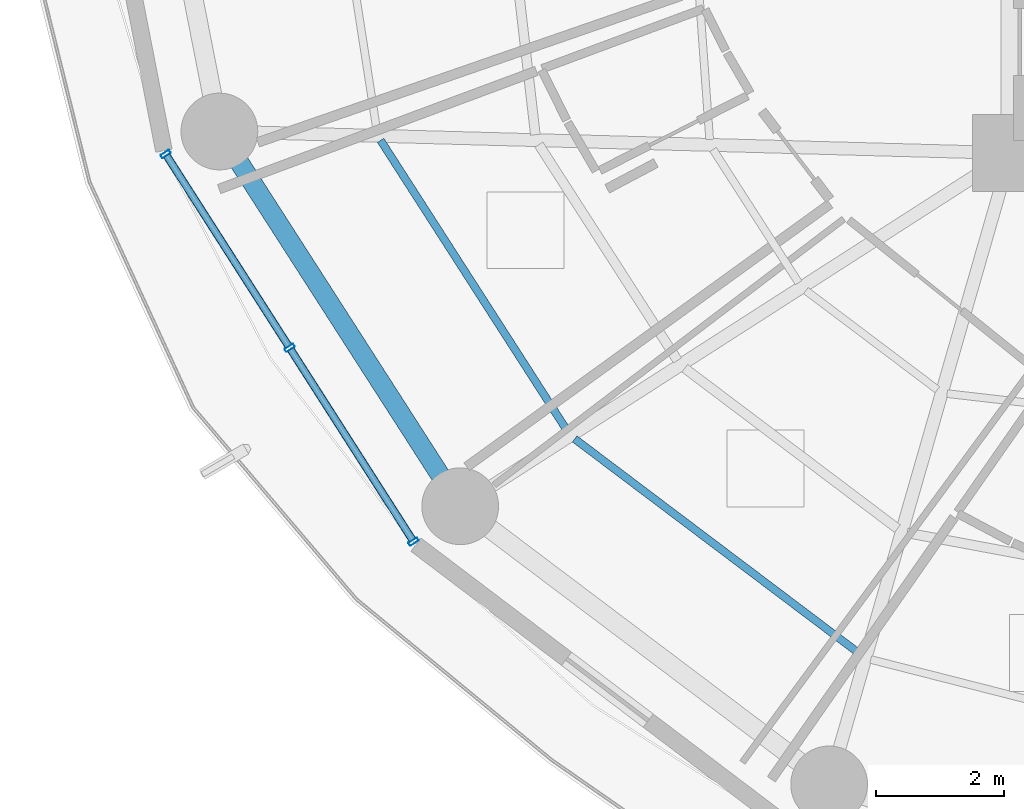
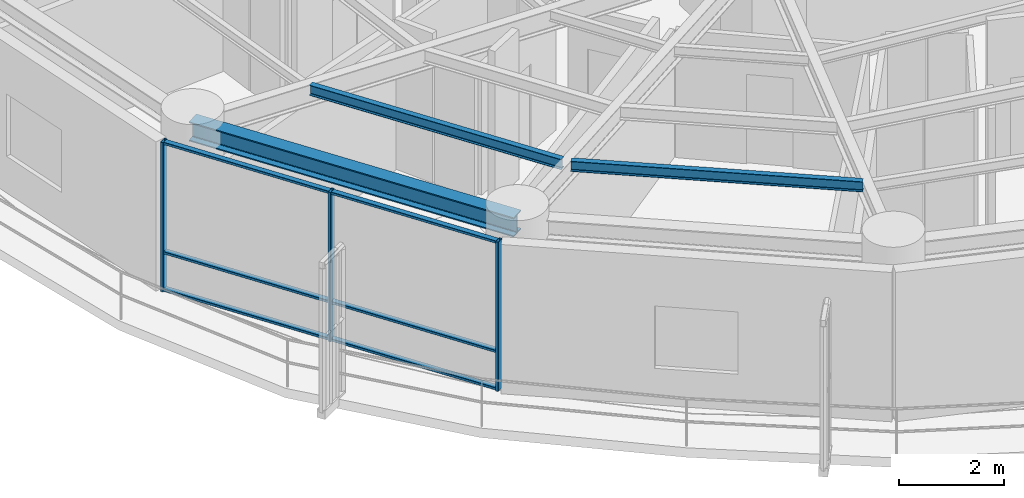
# One storey, part 2 of 28: 9 members, 3 beams, 1 element without a shape of its own.
"""IFC4 building model written with IfcOpenShell, lengths in metres."""

from ifc_helpers import new_model, si_unit, direction, frame, origin, origin_2d, place, context, subcontext, project, spatial, hollow_rectangle, i_section, extrude, material, layer, layer_set, material_profile, profile_set, type_object, element, aggregate, save


model = new_model("IFC4")

# Units and contexts
model_context = context("Model", 3, precision=1e-05, world=origin(), true_north=direction((0.0, 1.0)))
body_context = subcontext(model_context, "Body", "Model", "MODEL_VIEW")
ifc_project = project(units=[si_unit("LENGTHUNIT", "METRE"), si_unit("AREAUNIT", "SQUARE_METRE"), si_unit("VOLUMEUNIT", "CUBIC_METRE"), si_unit("PLANEANGLEUNIT", "RADIAN"), si_unit("MASSUNIT", "GRAM", prefix="KILO")], contexts=[model_context])

# Site, building, storey
site_placement = place(None, origin())
site = spatial("IfcSite", under=ifc_project, at=site_placement, CompositionType="ELEMENT")
building_placement = place(site_placement, origin())
building = spatial("IfcBuilding", under=site, at=building_placement, Name="Kelanora Arch Commons", CompositionType="ELEMENT")
storey_placement = place(building_placement, frame((0.0, 0.0, 139.35009765625)))
storey = spatial("IfcBuildingStorey", under=building, at=storey_placement, Name="L35", CompositionType="ELEMENT", Elevation=139.35009765625)

# Beams
ifc_material_1 = material(Name="Steel S355", Category="steel")
ifc_material_profile_1 = material_profile(ifc_material_1, i_section(OverallWidth=0.1201171875, OverallDepth=0.239990234375, WebThickness=0.006103515625, FlangeThickness=0.009765625, FilletRadius=0.014892578125, at=origin_2d()), Name="IPE240")
ifc_profile_set_1 = profile_set([ifc_material_profile_1], Name="Steel S355")
beam_type_1 = type_object("IfcBeamType", Name="BM-JST-02", PredefinedType="JOIST", material=ifc_profile_set_1)
beam_1_placement = place(storey_placement, frame((56.14794921875, 51.198486328125, 3.369873046875), z_axis=(0.540581678156, -0.841291536414, 0.0), x_axis=(0.841291536414, 0.540581678156, 0.0)))
element("IfcBeam", 1, at=beam_1_placement, inside=storey, type_object=beam_type_1, Name="Secondary Chord Joist BJC-20 L35", PredefinedType="JOIST", context=body_context, shape_type="SweptSolid", body=[
    extrude(i_section(OverallWidth=0.1201171875, OverallDepth=0.239990234375, WebThickness=0.006103515625, FlangeThickness=0.009765625, FilletRadius=0.014892578125, at=origin_2d()), origin(), (0.0, 0.0, 1.0), 5.4013671875),
])
beam_2_placement = place(storey_placement, frame((59.181640625, 46.531494140625, 3.369873046875), z_axis=(0.798493128577, -0.602003923256, 0.0), x_axis=(0.602003923256, 0.798493128577, 0.0)))
element("IfcBeam", 2, at=beam_2_placement, inside=storey, type_object=beam_type_1, Name="Secondary Chord Joist BJC-22 L35", PredefinedType="JOIST", context=body_context, shape_type="SweptSolid", body=[
    extrude(i_section(OverallWidth=0.1201171875, OverallDepth=0.239990234375, WebThickness=0.006103515625, FlangeThickness=0.009765625, FilletRadius=0.014892578125, at=origin_2d()), origin(), (0.0, 0.0, 1.0), 5.608642578125),
])
ifc_material_profile_2 = material_profile(ifc_material_1, i_section(OverallWidth=0.300048828125, OverallDepth=0.449951171875, WebThickness=0.013916015625, FlangeThickness=0.02587890625, FilletRadius=0.027099609375, at=origin_2d()), Name="HEB450")
ifc_profile_set_2 = profile_set([ifc_material_profile_2], Name="Steel S355")
beam_type_2 = type_object("IfcBeamType", Name="BM-SPN-Z3", PredefinedType="SPANDREL", material=ifc_profile_set_2)
beam_3_placement = place(storey_placement, frame((53.62744140625, 51.33740234375, 3.264892578125), z_axis=(0.540576852469, -0.841294637196, 0.0), x_axis=(0.841294637196, 0.540576852469, 0.0)))
element("IfcBeam", 3, at=beam_3_placement, inside=storey, type_object=beam_type_2, Name="Perimeter Spandrel Beam BS-20 L35", PredefinedType="SPANDREL", context=body_context, shape_type="SweptSolid", body=[
    extrude(i_section(OverallWidth=0.300048828125, OverallDepth=0.449951171875, WebThickness=0.013916015625, FlangeThickness=0.02587890625, FilletRadius=0.027099609375, at=origin_2d()), origin(), (0.0, 0.0, 1.0), 6.964111328125),
])

# Curtain wall, members
ifc_material_2 = material(Name="Terracotta ceramic-fritted low-E glass and aluminium", Category="masonry")
ifc_layer = layer(ifc_material_2, 0.175048828125)
ifc_layer_set = layer_set([ifc_layer], Name="Terracotta ceramic-fritted low-E glass and aluminium")
curtain_wall_type = type_object("IfcCurtainWallType", Name="CW-SYS-02", PredefinedType="NOTDEFINED", material=ifc_layer_set)
curtain_wall_placement = place(storey_placement, origin())
curtain_wall = element("IfcCurtainWall", 4, at=curtain_wall_placement, inside=storey, type_object=curtain_wall_type, Name="Unitised Curtain Wall L35-B10", PredefinedType="NOTDEFINED")
ifc_material_3 = material(Name="Powder-coated aluminium terracotta", Category="masonry")
ifc_material_profile_3 = material_profile(ifc_material_3, hollow_rectangle(XDim=0.159912109375, YDim=0.06005859375, WallThickness=0.0048828125, InnerFilletRadius=0.0048828125, OuterFilletRadius=0.010009765625, at=origin_2d()), Name="CWM160x60")
ifc_profile_set_3 = profile_set([ifc_material_profile_3], Name="Powder-coated aluminium terracotta")
member_type_1 = type_object("IfcMemberType", Name="CWM-STD", PredefinedType="MULLION", material=ifc_profile_set_3)
member_1_placement = place(storey_placement, frame((52.787109375, 50.98486328125, 0.0), z_axis=(0.0, 0.0, 1.0), x_axis=(0.842422846546, 0.538816988983, 0.0)))
member_1 = element("IfcMember", 5, at=member_1_placement, type_object=member_type_1, Name="CW-02 mullion 1", PredefinedType="MULLION", context=body_context, shape_type="SweptSolid", body=[
    extrude(hollow_rectangle(XDim=0.159912109375, YDim=0.06005859375, WallThickness=0.0048828125, InnerFilletRadius=0.0048828125, OuterFilletRadius=0.010009765625, at=origin_2d()), origin(), (0.0, 0.0, 1.0), 3.474853515625),
])
member_2_placement = place(storey_placement, frame((54.72509765625, 47.954833984375, 0.0), z_axis=(0.0, 0.0, 1.0), x_axis=(0.842422846546, 0.538816988983, 0.0)))
member_2 = element("IfcMember", 6, at=member_2_placement, type_object=member_type_1, Name="CW-02 mullion 2", PredefinedType="MULLION", context=body_context, shape_type="SweptSolid", body=[
    extrude(hollow_rectangle(XDim=0.159912109375, YDim=0.06005859375, WallThickness=0.0048828125, InnerFilletRadius=0.0048828125, OuterFilletRadius=0.010009765625, at=origin_2d()), origin(), (0.0, 0.0, 1.0), 3.474853515625),
])
member_3_placement = place(storey_placement, frame((56.6630859375, 44.925048828125, 0.0), z_axis=(0.0, 0.0, 1.0), x_axis=(0.842422846546, 0.538816988983, 0.0)))
member_3 = element("IfcMember", 7, at=member_3_placement, type_object=member_type_1, Name="CW-02 mullion 3", PredefinedType="MULLION", context=body_context, shape_type="SweptSolid", body=[
    extrude(hollow_rectangle(XDim=0.159912109375, YDim=0.06005859375, WallThickness=0.0048828125, InnerFilletRadius=0.0048828125, OuterFilletRadius=0.010009765625, at=origin_2d()), origin(), (0.0, 0.0, 1.0), 3.474853515625),
])
ifc_material_profile_4 = material_profile(ifc_material_3, hollow_rectangle(XDim=0.1201171875, YDim=0.06005859375, WallThickness=0.0048828125, InnerFilletRadius=0.0048828125, OuterFilletRadius=0.010009765625, at=origin_2d()), Name="CWT120x60")
ifc_profile_set_4 = profile_set([ifc_material_profile_4], Name="Powder-coated aluminium terracotta")
member_type_2 = type_object("IfcMemberType", Name="CWT-STD", PredefinedType="USERDEFINED", material=ifc_profile_set_4)
member_4_placement = place(storey_placement, frame((52.80322265625, 50.959716796875, 0.02978515625), z_axis=(0.53883037555, -0.842414284295, 0.0), x_axis=(0.842414284295, 0.53883037555, 0.0)))
member_4 = element("IfcMember", 8, at=member_4_placement, type_object=member_type_2, Name="CW-02 transom 1.1", ObjectType="TRANSOM", PredefinedType="USERDEFINED", context=body_context, shape_type="SweptSolid", body=[
    extrude(hollow_rectangle(XDim=0.1201171875, YDim=0.06005859375, WallThickness=0.0048828125, InnerFilletRadius=0.0048828125, OuterFilletRadius=0.010009765625, at=origin_2d()), origin(), (0.0, 0.0, 1.0), 3.536865234375),
])
member_5_placement = place(storey_placement, frame((52.80322265625, 50.959716796875, 0.89990234375), z_axis=(0.53883037555, -0.842414284295, 0.0), x_axis=(0.842414284295, 0.53883037555, 0.0)))
member_5 = element("IfcMember", 9, at=member_5_placement, type_object=member_type_2, Name="CW-02 transom 1.2", ObjectType="TRANSOM", PredefinedType="USERDEFINED", context=body_context, shape_type="SweptSolid", body=[
    extrude(hollow_rectangle(XDim=0.1201171875, YDim=0.06005859375, WallThickness=0.0048828125, InnerFilletRadius=0.0048828125, OuterFilletRadius=0.010009765625, at=origin_2d()), origin(), (0.0, 0.0, 1.0), 3.536865234375),
])
member_6_placement = place(storey_placement, frame((52.80322265625, 50.959716796875, 3.44482421875), z_axis=(0.53883037555, -0.842414284295, 0.0), x_axis=(0.842414284295, 0.53883037555, 0.0)))
member_6 = element("IfcMember", 10, at=member_6_placement, type_object=member_type_2, Name="CW-02 transom 1.3", ObjectType="TRANSOM", PredefinedType="USERDEFINED", context=body_context, shape_type="SweptSolid", body=[
    extrude(hollow_rectangle(XDim=0.1201171875, YDim=0.06005859375, WallThickness=0.0048828125, InnerFilletRadius=0.0048828125, OuterFilletRadius=0.010009765625, at=origin_2d()), origin(), (0.0, 0.0, 1.0), 3.536865234375),
])
member_7_placement = place(storey_placement, frame((54.7412109375, 47.9296875, 0.02978515625), z_axis=(0.53883037555, -0.842414284295, 0.0), x_axis=(0.842414284295, 0.53883037555, 0.0)))
member_7 = element("IfcMember", 11, at=member_7_placement, type_object=member_type_2, Name="CW-02 transom 2.1", ObjectType="TRANSOM", PredefinedType="USERDEFINED", context=body_context, shape_type="SweptSolid", body=[
    extrude(hollow_rectangle(XDim=0.1201171875, YDim=0.06005859375, WallThickness=0.0048828125, InnerFilletRadius=0.0048828125, OuterFilletRadius=0.010009765625, at=origin_2d()), origin(), (0.0, 0.0, 1.0), 3.536865234375),
])
member_8_placement = place(storey_placement, frame((54.7412109375, 47.9296875, 0.89990234375), z_axis=(0.53883037555, -0.842414284295, 0.0), x_axis=(0.842414284295, 0.53883037555, 0.0)))
member_8 = element("IfcMember", 12, at=member_8_placement, type_object=member_type_2, Name="CW-02 transom 2.2", ObjectType="TRANSOM", PredefinedType="USERDEFINED", context=body_context, shape_type="SweptSolid", body=[
    extrude(hollow_rectangle(XDim=0.1201171875, YDim=0.06005859375, WallThickness=0.0048828125, InnerFilletRadius=0.0048828125, OuterFilletRadius=0.010009765625, at=origin_2d()), origin(), (0.0, 0.0, 1.0), 3.536865234375),
])
member_9_placement = place(storey_placement, frame((54.7412109375, 47.9296875, 3.44482421875), z_axis=(0.53883037555, -0.842414284295, 0.0), x_axis=(0.842414284295, 0.53883037555, 0.0)))
member_9 = element("IfcMember", 13, at=member_9_placement, type_object=member_type_2, Name="CW-02 transom 2.3", ObjectType="TRANSOM", PredefinedType="USERDEFINED", context=body_context, shape_type="SweptSolid", body=[
    extrude(hollow_rectangle(XDim=0.1201171875, YDim=0.06005859375, WallThickness=0.0048828125, InnerFilletRadius=0.0048828125, OuterFilletRadius=0.010009765625, at=origin_2d()), origin(), (0.0, 0.0, 1.0), 3.536865234375),
])
aggregate(curtain_wall, [member_1, member_2, member_3, member_4, member_5, member_6, member_7, member_8, member_9])

save(model, "model.ifc")
